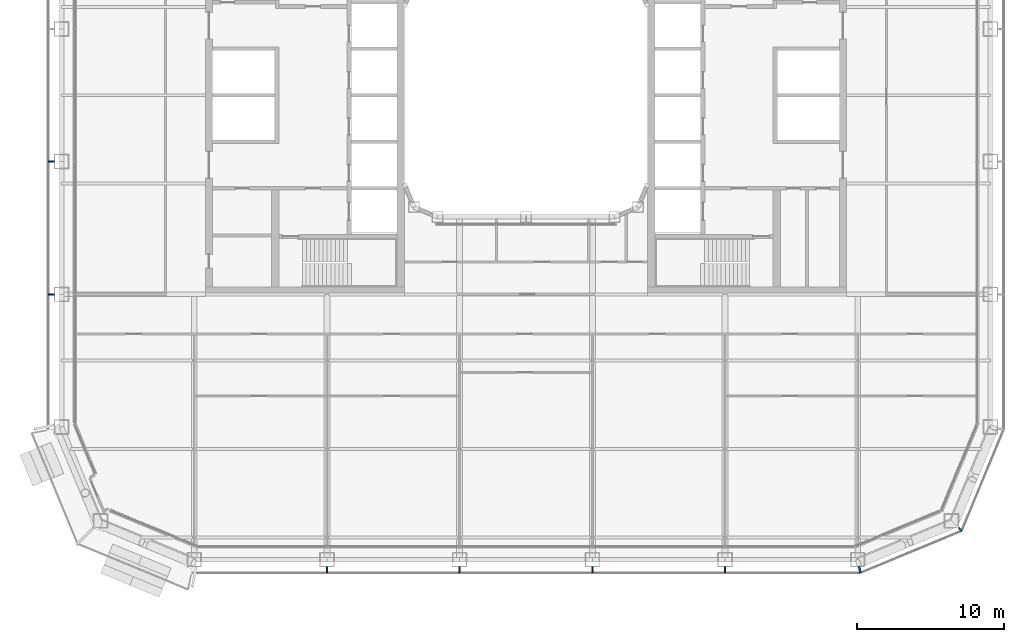
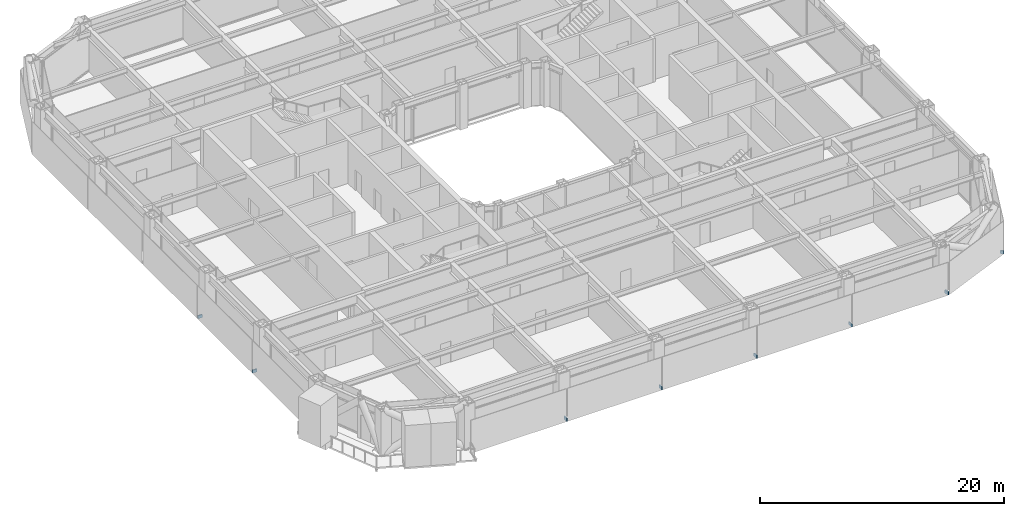
# One storey, part 19 of 27: 8 discrete accessories.
"""IFC4 building model written with IfcOpenShell, lengths in metres."""

from ifc_helpers import new_model, si_unit, direction, frame, origin, origin_2d, place, context, subcontext, project, spatial, rectangle, extrude, material, type_object, element, save


model = new_model("IFC4")

# Units and contexts
model_context = context("Model", 3, precision=1e-05, world=origin(), true_north=direction((0.0, 1.0)))
body_context = subcontext(model_context, "Body", "Model", "MODEL_VIEW")
ifc_project = project(units=[si_unit("LENGTHUNIT", "METRE"), si_unit("AREAUNIT", "SQUARE_METRE"), si_unit("VOLUMEUNIT", "CUBIC_METRE"), si_unit("PLANEANGLEUNIT", "RADIAN"), si_unit("MASSUNIT", "GRAM", prefix="KILO")], contexts=[model_context])

# Site, building, storey
site_placement = place(None, origin())
site = spatial("IfcSite", under=ifc_project, at=site_placement, CompositionType="ELEMENT")
building_placement = place(site_placement, origin())
building = spatial("IfcBuilding", under=site, at=building_placement, Name="Siwar Civic Tower", CompositionType="ELEMENT")
storey_placement = place(building_placement, frame((0.0, 0.0, 71.699951171875)))
storey = spatial("IfcBuildingStorey", under=building, at=storey_placement, Name="L15", CompositionType="ELEMENT", Elevation=71.699951171875)

# Discrete accessories
ifc_material = material(Name="Stainless steel 316", Category="steel")
discrete_accessory_type = type_object("IfcDiscreteAccessoryType", Name="ENV-BRACKET", PredefinedType="BRACKET", material=ifc_material)
for number, where, z_axis, x_axis, name in (
    (1, (-13.5, -32.18994140625, -0.14990234375), (0.0, 0.0, 1.0), (0.0, -1.0, 0.0), "Bracket outer skin joint S-01"),
    (2, (-4.5, -32.18994140625, -0.14990234375), (0.0, 0.0, 1.0), (0.0, -1.0, 0.0), "Bracket outer skin joint S-02"),
    (3, (4.5, -32.18994140625, -0.14990234375), (0.0, 0.0, 1.0), (0.0, -1.0, 0.0), "Bracket outer skin joint S-03"),
    (4, (13.5, -32.18994140625, -0.14990234375), (0.0, 0.0, 1.0), (0.0, -1.0, 0.0), "Bracket outer skin joint S-04"),
):
    element("IfcDiscreteAccessory", number, at=place(storey_placement, frame(where, z_axis=z_axis, x_axis=x_axis)), inside=storey, type_object=discrete_accessory_type, Name=name, PredefinedType="BRACKET", context=body_context, shape_type="SweptSolid", body=[
        extrude(rectangle(XDim=0.419921875, YDim=0.10009765625, at=origin_2d()), origin(), (0.0, 0.0, 1.0), 0.300048828125),
    ])
discrete_accessory_1_placement = place(storey_placement, frame((22.63720703125, -32.190185546875, -0.14990234375), z_axis=(0.0, 0.0, 1.0), x_axis=(0.195090322016, -0.980785280403, 0.0)))
element("IfcDiscreteAccessory", 5, at=discrete_accessory_1_placement, inside=storey, type_object=discrete_accessory_type, Name="Bracket outer skin joint V01", PredefinedType="BRACKET", context=body_context, shape_type="SweptSolid", body=[
    extrude(rectangle(XDim=0.427734375, YDim=0.13720703125, at=origin_2d()), origin(), (0.0, 0.0, 1.0), 0.300048828125),
])
discrete_accessory_2_placement = place(storey_placement, frame((29.451416015625, -29.451416015625, -0.14990234375), z_axis=(0.0, 0.0, 1.0), x_axis=(0.707106781187, -0.707106781187, 0.0)))
element("IfcDiscreteAccessory", 6, at=discrete_accessory_2_placement, inside=storey, type_object=discrete_accessory_type, Name="Bracket outer skin joint V02", PredefinedType="BRACKET", context=body_context, shape_type="SweptSolid", body=[
    extrude(rectangle(XDim=0.287109375, YDim=0.12939453125, at=origin_2d()), origin(), (0.0, 0.0, 1.0), 0.300048828125),
])
for number, where, z_axis, x_axis, name in (
    (7, (-32.18994140625, -4.5, -0.14990234375), (0.0, 0.0, 1.0), (-1.0, 0.0, 0.0), "Bracket outer skin joint W-03"),
    (8, (-32.18994140625, -13.5, -0.14990234375), (0.0, 0.0, 1.0), (-1.0, 0.0, 0.0), "Bracket outer skin joint W-04"),
):
    element("IfcDiscreteAccessory", number, at=place(storey_placement, frame(where, z_axis=z_axis, x_axis=x_axis)), inside=storey, type_object=discrete_accessory_type, Name=name, PredefinedType="BRACKET", context=body_context, shape_type="SweptSolid", body=[
        extrude(rectangle(XDim=0.419921875, YDim=0.10009765625, at=origin_2d()), origin(), (0.0, 0.0, 1.0), 0.300048828125),
    ])

save(model, "model.ifc")
